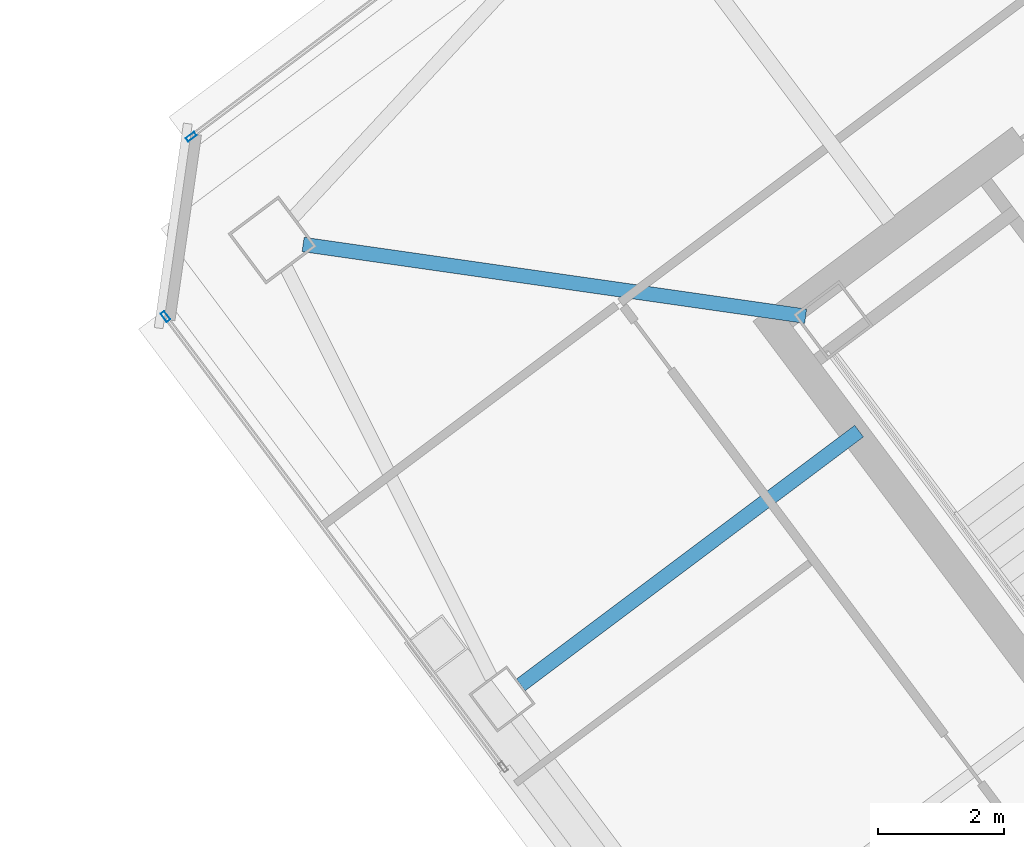
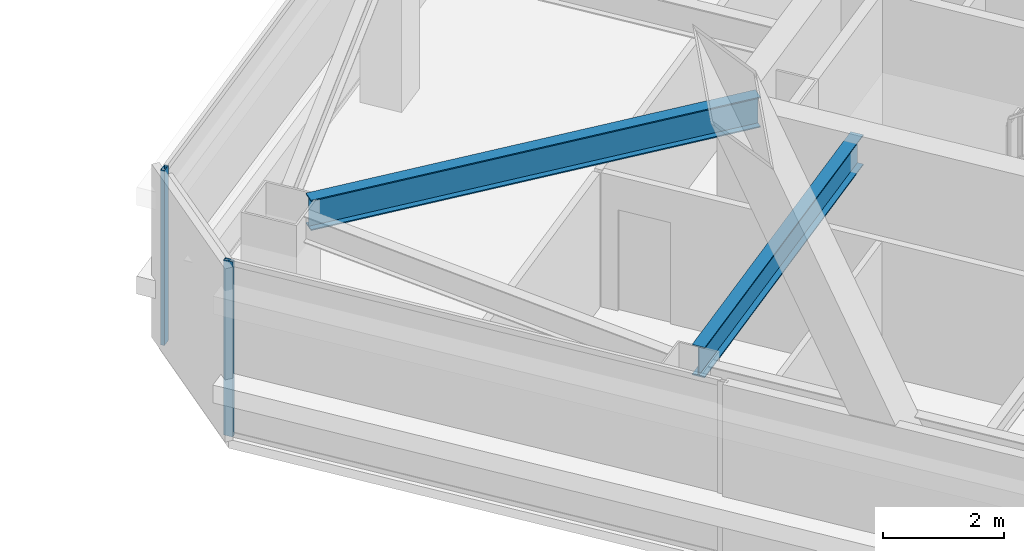
# One storey, part 24 of 47: 2 beams, 2 members, 2 elements without a shape of their own.
"""IFC4 building model written with IfcOpenShell, lengths in metres."""

from ifc_helpers import new_model, si_unit, direction, frame, origin, origin_2d, place, context, subcontext, project, spatial, hollow_rectangle, i_section, extrude, material, material_profile, profile_set, type_object, element, aggregate, save


model = new_model("IFC4")

# Units and contexts
model_context = context("Model", 3, precision=1e-05, world=origin(), true_north=direction((0.0, 1.0)))
body_context = subcontext(model_context, "Body", "Model", "MODEL_VIEW")
ifc_project = project(units=[si_unit("LENGTHUNIT", "METRE"), si_unit("AREAUNIT", "SQUARE_METRE"), si_unit("VOLUMEUNIT", "CUBIC_METRE"), si_unit("PLANEANGLEUNIT", "RADIAN"), si_unit("MASSUNIT", "GRAM", prefix="KILO")], contexts=[model_context])

# Site, building, storey
site_placement = place(None, origin())
site = spatial("IfcSite", under=ifc_project, at=site_placement, CompositionType="ELEMENT")
building_placement = place(site_placement, origin())
building = spatial("IfcBuilding", under=site, at=building_placement, Name="Tashvorn Skyway Center", CompositionType="ELEMENT")
storey_placement = place(building_placement, frame((0.0, 0.0, 204.199951171875)))
storey = spatial("IfcBuildingStorey", under=building, at=storey_placement, Name="L55", CompositionType="ELEMENT", Elevation=204.199951171875)

# Beams
ifc_material_1 = material(Name="Steel ASTM A992 Grade 50", Category="steel")
ifc_material_profile_1 = material_profile(ifc_material_1, i_section(OverallWidth=0.22998046875, OverallDepth=0.616943359375, WebThickness=0.01318359375, FlangeThickness=0.022216796875, at=origin_2d()), Name="W24X94")
ifc_profile_set_1 = profile_set([ifc_material_profile_1], Name="Steel ASTM A992 Grade 50")
beam_type = type_object("IfcBeamType", Name="BM-BEAM-W24X94", PredefinedType="BEAM", material=ifc_profile_set_1)
beam_1_placement = place(storey_placement, frame((95.72998046875, 34.610107421875, 3.0615234375), z_axis=(0.989947064346, -0.141438360399, 0.0), x_axis=(0.141438360399, 0.989947064346, 0.0)))
element("IfcBeam", 1, at=beam_1_placement, inside=storey, type_object=beam_type, Name="Tower 2 L55 Primary Floor Girder MC-NW", PredefinedType="BEAM", context=body_context, shape_type="SweptSolid", body=[
    extrude(i_section(OverallWidth=0.22998046875, OverallDepth=0.616943359375, WebThickness=0.01318359375, FlangeThickness=0.022216796875, at=origin_2d()), origin(), (0.0, 0.0, 1.0), 8.040283203125),
])
beam_2_placement = place(storey_placement, frame((99.176025390625, 27.632080078125, 3.0615234375), z_axis=(0.799991254452, 0.600011660554, 0.0), x_axis=(-0.600011660554, 0.799991254452, 0.0)))
element("IfcBeam", 2, at=beam_2_placement, inside=storey, type_object=beam_type, Name="Tower 2 L55 Primary Floor Girder FC-W1", PredefinedType="BEAM", context=body_context, shape_type="SweptSolid", body=[
    extrude(i_section(OverallWidth=0.22998046875, OverallDepth=0.616943359375, WebThickness=0.01318359375, FlangeThickness=0.022216796875, at=origin_2d()), origin(), (0.0, 0.0, 1.0), 6.699951171875),
])

# Curtain wall, member
ifc_material_2 = material(Name="Thermally broken bronze-anodized aluminium 6063-T6", Category="aluminium")
curtain_wall_type = type_object("IfcCurtainWallType", Name="CW-CW-Z5", PredefinedType="NOTDEFINED", material=ifc_material_2)
curtain_wall_1_placement = place(storey_placement, origin())
curtain_wall_1 = element("IfcCurtainWall", 3, at=curtain_wall_1_placement, inside=storey, type_object=curtain_wall_type, Name="Tower 2 L55 West Unitised Curtain Wall Glazing Group 2", PredefinedType="NOTDEFINED")
ifc_material_profile_2 = material_profile(ifc_material_2, hollow_rectangle(XDim=0.070068359375, YDim=0.1650390625, WallThickness=0.00390625, at=origin_2d()), Name="ALU-MULL-70x165")
ifc_profile_set_2 = profile_set([ifc_material_profile_2], Name="Thermally broken bronze-anodized aluminium 6063-T6")
member_type = type_object("IfcMemberType", Name="CWM-CW-Z5", PredefinedType="MULLION", material=ifc_profile_set_2)
member_1_placement = place(storey_placement, frame((93.549072265625, 33.468017578125, 0.0), z_axis=(0.0, 0.0, 1.0), x_axis=(-0.799998664683, -0.600001780418, 0.0)))
member_1 = element("IfcMember", 4, at=member_1_placement, type_object=member_type, Name="CW-Z5 mullion 2", PredefinedType="MULLION", context=body_context, shape_type="SweptSolid", body=[
    extrude(hollow_rectangle(XDim=0.070068359375, YDim=0.1650390625, WallThickness=0.00390625, at=origin_2d()), origin(), (0.0, 0.0, 1.0), 3.550048828125),
])
aggregate(curtain_wall_1, [member_1])

curtain_wall_2_placement = place(storey_placement, origin())
curtain_wall_2 = element("IfcCurtainWall", 5, at=curtain_wall_2_placement, inside=storey, type_object=curtain_wall_type, Name="Tower 2 L55 North Unitised Curtain Wall Glazing Group 1", PredefinedType="NOTDEFINED")
member_2_placement = place(storey_placement, frame((93.9560546875, 36.31689453125, 0.0), z_axis=(0.0, 0.0, 1.0), x_axis=(-0.600001780418, 0.799998664683, 0.0)))
member_2 = element("IfcMember", 6, at=member_2_placement, type_object=member_type, Name="CW-Z5 mullion 1", PredefinedType="MULLION", context=body_context, shape_type="SweptSolid", body=[
    extrude(hollow_rectangle(XDim=0.070068359375, YDim=0.1650390625, WallThickness=0.00390625, at=origin_2d()), origin(), (0.0, 0.0, 1.0), 3.550048828125),
])
aggregate(curtain_wall_2, [member_2])

save(model, "model.ifc")
